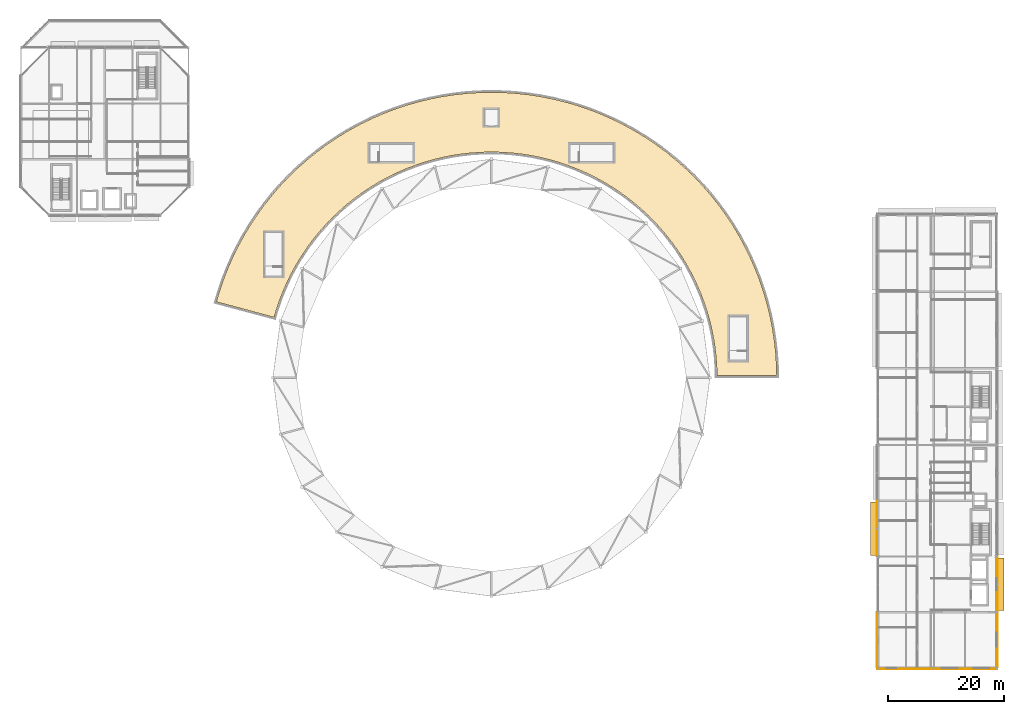
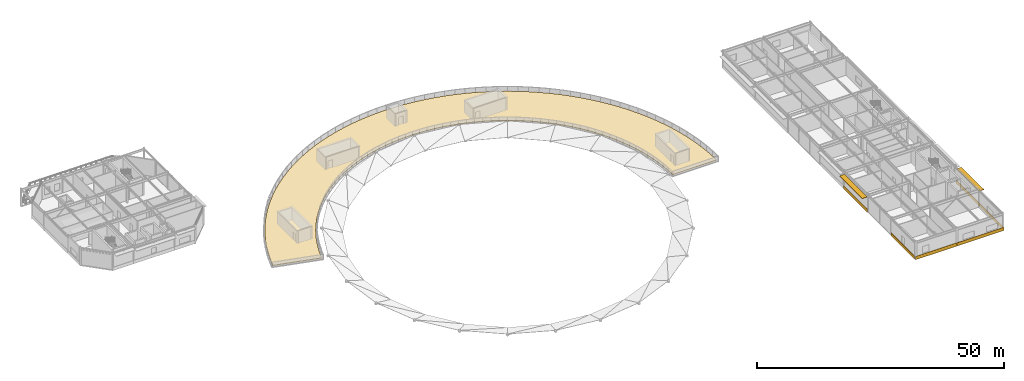
# One storey, part 46 of 50: 7 coverings, 2 shading devices.
"""IFC4 building model written with IfcOpenShell, lengths in metres."""

from ifc_helpers import new_model, si_unit, direction, frame, origin, origin_2d, place, context, subcontext, project, spatial, polyline, rectangle, outline, extrude, material, layer, layer_set, type_object, element, save


model = new_model("IFC4")

# Units and contexts
model_context = context("Model", 3, precision=1e-05, world=origin(), true_north=direction((0.0, 1.0)))
body_context = subcontext(model_context, "Body", "Model", "MODEL_VIEW")
ifc_project = project(units=[si_unit("LENGTHUNIT", "METRE"), si_unit("AREAUNIT", "SQUARE_METRE"), si_unit("VOLUMEUNIT", "CUBIC_METRE"), si_unit("PLANEANGLEUNIT", "RADIAN"), si_unit("MASSUNIT", "GRAM", prefix="KILO")], contexts=[model_context])

# Site, building, storey
site_placement = place(None, origin())
site = spatial("IfcSite", under=ifc_project, at=site_placement, CompositionType="ELEMENT")
building_placement = place(site_placement, origin())
building = spatial("IfcBuilding", under=site, at=building_placement, Name="Almandine Court Research Institute", CompositionType="ELEMENT")
storey_placement = place(building_placement, frame((0.0, 0.0, 23.449951171875)))
storey = spatial("IfcBuildingStorey", under=building, at=storey_placement, Name="L05", CompositionType="ELEMENT", Elevation=23.449951171875)

# Coverings
ifc_material_1 = material(Name="Extruded Cream-Ochre Seismic Terracotta Spandrel", Category="masonry")
ifc_layer_1 = layer(ifc_material_1, 0.054931640625)
ifc_layer_set_1 = layer_set([ifc_layer_1], Name="Extruded Cream-Ochre Seismic Terracotta Spandrel")
covering_type_1 = type_object("IfcCoveringType", Name="Cov-CLAD-TERR", PredefinedType="CLADDING", material=ifc_layer_set_1)
covering_1_placement = place(storey_placement, frame((153.428955078125, 10.873046875, 0.02001953125), z_axis=(0.0, 0.0, 1.0), x_axis=(0.0, 1.0, 0.0)))
element("IfcCovering", 1, at=covering_1_placement, inside=storey, type_object=covering_type_1, Name="L05 Facade Spandrel Cladding Band 186", PredefinedType="CLADDING", context=body_context, shape_type="SweptSolid", body=[
    extrude(rectangle(XDim=9.447021484375, YDim=0.054931640625, at=origin_2d()), origin(), (0.0, 0.0, 1.0), 0.800048828125),
])
for number, where, z_axis, x_axis, name in (
    (2, (153.428955078125, 30.0, 0.02001953125), (0.0, 0.0, 1.0), (0.0, 1.0, 0.0), "L05 Facade Spandrel Cladding Band 187"),
    (3, (174.1708984375, 20.39990234375, 0.02001953125), (0.0, 0.0, 1.0), (0.0, -1.0, 0.0), "L05 Facade Spandrel Cladding Band 197"),
):
    element("IfcCovering", number, at=place(storey_placement, frame(where, z_axis=z_axis, x_axis=x_axis)), inside=storey, type_object=covering_type_1, Name=name, PredefinedType="CLADDING", context=body_context, shape_type="SweptSolid", body=[
        extrude(rectangle(XDim=9.592041015625, YDim=0.054931640625, at=origin_2d()), origin(), (0.0, 0.0, 1.0), 0.800048828125),
    ])
covering_2_placement = place(storey_placement, frame((174.1708984375, 10.873046875, 0.02001953125), z_axis=(0.0, 0.0, 1.0), x_axis=(0.0, -1.0, 0.0)))
element("IfcCovering", 4, at=covering_2_placement, inside=storey, type_object=covering_type_1, Name="L05 Facade Spandrel Cladding Band 198", PredefinedType="CLADDING", context=body_context, shape_type="SweptSolid", body=[
    extrude(rectangle(XDim=9.447021484375, YDim=0.054931640625, at=origin_2d()), origin(), (0.0, 0.0, 1.0), 0.800048828125),
])
covering_3_placement = place(storey_placement, frame((168.675048828125, 5.830078125, 0.02001953125), z_axis=(0.0, 0.0, 1.0), x_axis=(-1.0, 0.0, 0.0)))
element("IfcCovering", 5, at=covering_3_placement, inside=storey, type_object=covering_type_1, Name="L05 Facade Spandrel Cladding Band 199", PredefinedType="CLADDING", context=body_context, shape_type="SweptSolid", body=[
    extrude(rectangle(XDim=10.94091796875, YDim=0.054931640625, at=origin_2d()), origin(), (0.0, 0.0, 1.0), 0.800048828125),
])
covering_4_placement = place(storey_placement, frame((158.325927734375, 5.830078125, 0.02001953125), z_axis=(0.0, 0.0, 1.0), x_axis=(-1.0, 0.0, 0.0)))
element("IfcCovering", 6, at=covering_4_placement, inside=storey, type_object=covering_type_1, Name="L05 Facade Spandrel Cladding Band 200", PredefinedType="CLADDING", context=body_context, shape_type="SweptSolid", body=[
    extrude(rectangle(XDim=9.740966796875, YDim=0.054931640625, at=origin_2d()), origin(), (0.0, 0.0, 1.0), 0.800048828125),
])
ifc_material_2 = material(Name="Extensive Andean Sedum Planted Green Roof Build-Up")
ifc_layer_2 = layer(ifc_material_2, 0.139892578125)
ifc_layer_set_2 = layer_set([ifc_layer_2], Name="Extensive Andean Sedum Planted Green Roof Build-Up")
covering_type_2 = type_object("IfcCoveringType", Name="Cov-ROOF-GREEN", PredefinedType="ROOFING", material=ifc_layer_set_2)
covering_5_placement = place(storey_placement, origin())
element("IfcCovering", 7, at=covering_5_placement, inside=storey, type_object=covering_type_2, Name="L05 Planted Green Roof Covering 18", PredefinedType="ROOFING", context=body_context, shape_type="SweptSolid", body=[
    extrude(outline(polyline([(136.14208984375, 56.35009765625), (125.842041015625, 56.35009765625), (125.81298828125, 57.694091796875), (125.701904296875, 59.385009765625), (125.51806640625, 61.071044921875), (125.260009765625, 62.74609375), (124.928955078125, 64.408935546875), (124.52587890625, 66.055908203125), (124.052001953125, 67.681884765625), (123.507080078125, 69.2880859375), (122.89208984375, 70.866943359375), (122.2099609375, 72.4189453125), (121.4609375, 73.93896484375), (120.64501953125, 75.425048828125), (119.76611328125, 76.8740234375), (118.823974609375, 78.283935546875), (117.822021484375, 79.64990234375), (116.760986328125, 80.971923828125), (115.64306640625, 82.24609375), (114.471923828125, 83.471923828125), (113.24609375, 84.64306640625), (111.971923828125, 85.760986328125), (110.64990234375, 86.822021484375), (109.283935546875, 87.823974609375), (107.8740234375, 88.76611328125), (106.425048828125, 89.64501953125), (104.93896484375, 90.4609375), (103.4189453125, 91.2099609375), (101.866943359375, 91.89208984375), (100.2880859375, 92.507080078125), (98.681884765625, 93.052001953125), (97.055908203125, 93.52587890625), (95.408935546875, 93.928955078125), (93.74609375, 94.260009765625), (92.071044921875, 94.51806640625), (90.385009765625, 94.701904296875), (88.694091796875, 94.81298828125), (87.0, 94.85009765625), (85.305908203125, 94.81298828125), (83.614990234375, 94.701904296875), (81.928955078125, 94.51806640625), (80.25390625, 94.260009765625), (78.591064453125, 93.928955078125), (76.944091796875, 93.52587890625), (75.318115234375, 93.052001953125), (73.7119140625, 92.507080078125), (72.133056640625, 91.89208984375), (70.5810546875, 91.2099609375), (69.06103515625, 90.4609375), (67.574951171875, 89.64501953125), (66.1259765625, 88.76611328125), (64.716064453125, 87.823974609375), (63.35009765625, 86.822021484375), (62.028076171875, 85.760986328125), (60.75390625, 84.64306640625), (59.528076171875, 83.471923828125), (58.35693359375, 82.24609375), (57.239013671875, 80.971923828125), (56.177978515625, 79.64990234375), (55.176025390625, 78.283935546875), (54.23388671875, 76.8740234375), (53.35498046875, 75.425048828125), (52.5390625, 73.93896484375), (51.7900390625, 72.4189453125), (51.10791015625, 70.866943359375), (50.492919921875, 69.2880859375), (49.947998046875, 67.681884765625), (49.572021484375, 66.39208984375), (39.623046875, 69.056884765625), (40.125, 70.780029296875), (40.81396484375, 72.81005859375), (41.591064453125, 74.80908203125), (42.455078125, 76.77197265625), (43.404052734375, 78.695068359375), (44.43505859375, 80.574951171875), (45.547119140625, 82.407958984375), (46.739013671875, 84.19091796875), (48.007080078125, 85.9208984375), (49.34912109375, 87.593017578125), (50.762939453125, 89.2060546875), (52.24609375, 90.75390625), (53.7939453125, 92.237060546875), (55.406982421875, 93.65087890625), (57.0791015625, 94.992919921875), (58.80908203125, 96.260986328125), (60.592041015625, 97.452880859375), (62.425048828125, 98.56494140625), (64.304931640625, 99.595947265625), (66.22802734375, 100.544921875), (68.19091796875, 101.408935546875), (70.18994140625, 102.18603515625), (72.219970703125, 102.875), (74.279052734375, 103.47509765625), (76.362060546875, 103.985107421875), (78.465087890625, 104.403076171875), (80.5849609375, 104.72998046875), (82.716064453125, 104.962890625), (84.85595703125, 105.10302734375), (87.0, 105.14990234375), (89.14404296875, 105.10302734375), (91.283935546875, 104.962890625), (93.4150390625, 104.72998046875), (95.534912109375, 104.403076171875), (97.637939453125, 103.985107421875), (99.720947265625, 103.47509765625), (101.780029296875, 102.875), (103.81005859375, 102.18603515625), (105.80908203125, 101.408935546875), (107.77197265625, 100.544921875), (109.695068359375, 99.595947265625), (111.574951171875, 98.56494140625), (113.407958984375, 97.452880859375), (115.19091796875, 96.260986328125), (116.9208984375, 94.992919921875), (118.593017578125, 93.65087890625), (120.2060546875, 92.237060546875), (121.75390625, 90.75390625), (123.237060546875, 89.2060546875), (124.65087890625, 87.593017578125), (125.992919921875, 85.9208984375), (127.260986328125, 84.19091796875), (128.452880859375, 82.407958984375), (129.56494140625, 80.574951171875), (130.595947265625, 78.695068359375), (131.544921875, 76.77197265625), (132.408935546875, 74.80908203125), (133.18603515625, 72.81005859375), (133.875, 70.780029296875), (134.47509765625, 68.720947265625), (134.985107421875, 66.637939453125), (135.403076171875, 64.534912109375), (135.72998046875, 62.4150390625), (135.962890625, 60.283935546875), (136.10302734375, 58.14404296875), (136.14208984375, 56.35009765625)])), origin(), (0.0, 0.0, 1.0), 0.14013671875),
])

# Shading devices
ifc_material_3 = material(Name="Precast GFRC Chhajja Sunshade and Acoustic Louvre", Category="concrete")
ifc_layer_3 = layer(ifc_material_3, 0.080078125)
ifc_layer_set_3 = layer_set([ifc_layer_3], Name="Precast GFRC Chhajja Sunshade and Acoustic Louvre")
shading_device_type_1 = type_object("IfcShadingDeviceType", Name="Shd-SD-17", PredefinedType="AWNING", material=ifc_layer_set_3)
shading_device_1_placement = place(storey_placement, frame((174.7099609375, 20.39990234375, 3.618896484375), z_axis=(0.0, 0.0, 1.0), x_axis=(0.0, -1.0, 0.0)))
element("IfcShadingDevice", 8, at=shading_device_1_placement, inside=storey, type_object=shading_device_type_1, Name="L05 Projecting Chhajja Sunshade 138", PredefinedType="AWNING", context=body_context, shape_type="SweptSolid", body=[
    extrude(rectangle(XDim=9.08203125, YDim=1.14990234375, at=origin_2d()), origin(), (0.0, 0.0, 1.0), 0.080078125),
])
ifc_layer_4 = layer(ifc_material_3, 0.080078125)
ifc_layer_set_4 = layer_set([ifc_layer_4], Name="Precast GFRC Chhajja Sunshade and Acoustic Louvre")
shading_device_type_2 = type_object("IfcShadingDeviceType", Name="Shd-SD-36", PredefinedType="AWNING", material=ifc_layer_set_4)
shading_device_2_placement = place(storey_placement, frame((152.889892578125, 30.0, 3.6279296875), z_axis=(0.0, 0.0, 1.0), x_axis=(0.0, 1.0, 0.0)))
element("IfcShadingDevice", 9, at=shading_device_2_placement, inside=storey, type_object=shading_device_type_2, Name="L05 Projecting Chhajja Sunshade 128", PredefinedType="AWNING", context=body_context, shape_type="SweptSolid", body=[
    extrude(rectangle(XDim=9.241943359375, YDim=1.14990234375, at=origin_2d()), origin(), (0.0, 0.0, 1.0), 0.080078125),
])

save(model, "model.ifc")
